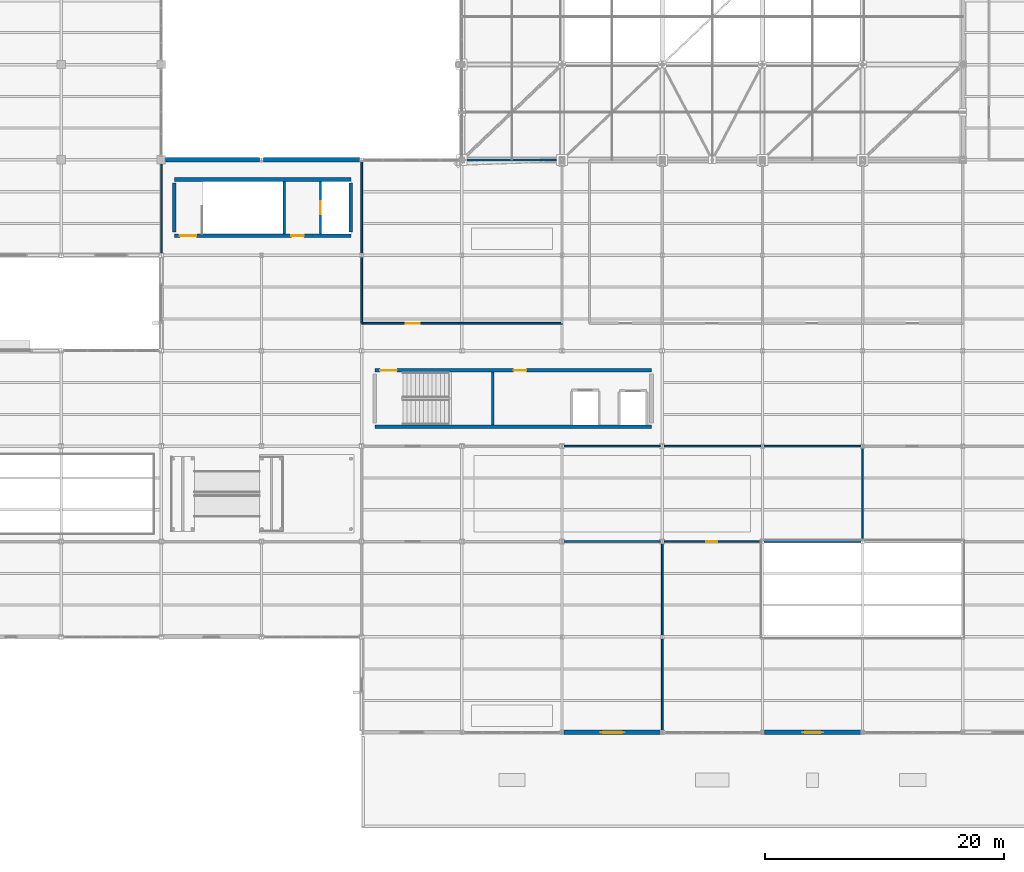
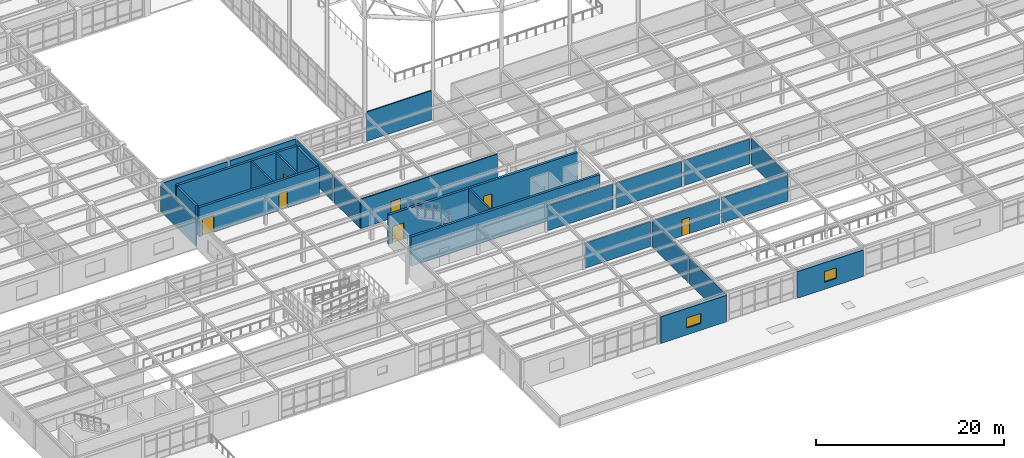
# One storey, part 70 of 138: 27 walls, 7 doors, 2 windows, 9 openings.
"""IFC4 building model written with IfcOpenShell, lengths in metres."""

from ifc_helpers import new_model, si_unit, direction, frame, frame_2d, origin, place, context, subcontext, project, spatial, rectangle, extrude, material, layer, layer_set, type_object, element, fill, save


model = new_model("IFC4")

# Units and contexts
model_context = context("Model", 3, precision=1e-05, world=origin(), true_north=direction((0.0, 1.0)))
body_context = subcontext(model_context, "Body", "Model", "MODEL_VIEW")
ifc_project = project(units=[si_unit("LENGTHUNIT", "METRE"), si_unit("AREAUNIT", "SQUARE_METRE"), si_unit("VOLUMEUNIT", "CUBIC_METRE"), si_unit("PLANEANGLEUNIT", "RADIAN"), si_unit("MASSUNIT", "GRAM", prefix="KILO")], contexts=[model_context])

# Site, building, storey
site_placement = place(None, origin())
site = spatial("IfcSite", under=ifc_project, at=site_placement, CompositionType="ELEMENT")
building_placement = place(site_placement, origin())
building = spatial("IfcBuilding", under=site, at=building_placement, Name="Kranzveld Transit Interchange", CompositionType="ELEMENT")
storey_placement = place(building_placement, frame((0.0, 0.0, 5.43994140625)))
storey = spatial("IfcBuildingStorey", under=building, at=storey_placement, Name="L01", CompositionType="ELEMENT", Elevation=5.43994140625)

# Wall, opening, door
ifc_material_1 = material(Name="Clay masonry unit wall, 20 MPa", Category="masonry")
ifc_layer_1 = layer(ifc_material_1, 0.139892578125)
ifc_layer_set_1 = layer_set([ifc_layer_1], Name="Clay masonry unit wall, 20 MPa")
wall_type_1 = type_object("IfcWallType", Name="Acoustic Stud Partition 140", PredefinedType="PARTITIONING", material=ifc_layer_set_1)
wall_1_placement = place(storey_placement, frame((50.39990234375, 42.300048828125, 0.0), z_axis=(0.0, 0.0, 1.0), x_axis=(1.0, 0.0, 0.0)))
wall_1 = element("IfcWall", 1, at=wall_1_placement, inside=storey, type_object=wall_type_1, Name="L01 Partition IW-L01-L01V1W-FRT-104-0", PredefinedType="PARTITIONING", context=body_context, shape_type="SweptSolid", body=[
    extrude(rectangle(XDim=16.800048828125, YDim=0.139892578125, at=frame_2d((8.39990234375, 0.0))), origin(), (0.0, 0.0, 1.0), 3.800048828125),
])
opening_1_placement = place(wall_1_placement, frame((3.699951171875, 0.0, 0.0), z_axis=(0.0, 0.0, 1.0), x_axis=(1.0, 0.0, 0.0)))
opening_1 = element("IfcOpeningElement", 2, at=opening_1_placement, cuts=wall_1, Name="Opening D-104", PredefinedType="OPENING", context=body_context, shape_type="SweptSolid", body=[
    extrude(rectangle(XDim=1.179931640625, YDim=2.219970703125, at=frame_2d((0.58984375, 1.10986328125))), frame((0.0, 0.079833984375, 0.0), z_axis=(0.0, -1.0, 0.0), x_axis=(1.0, 0.0, 0.0)), (0.0, 0.0, 1.0), 0.159912109375),
])
ifc_material_2 = material(Name="Bronze-anodised thermally broken aluminium", Category="aluminium")
door_type_1 = type_object("IfcDoorType", Name="Boardroom Acoustic Door 1180x2220", OperationType="NOTDEFINED", PredefinedType="DOOR", material=ifc_material_2)
door_1_placement = place(opening_1_placement, origin())
door_1 = element("IfcDoor", 3, at=door_1_placement, inside=storey, type_object=door_type_1, Name="L01 Interior Door D-104", OperationType="SINGLE_SWING_LEFT", OverallHeight=2.219970703125, OverallWidth=1.179931640625, PredefinedType="DOOR", context=body_context, shape_type="SweptSolid", body=[
    extrude(rectangle(XDim=1.179931640625, YDim=2.219970703125, at=frame_2d((0.58984375, 1.10986328125))), frame((0.0, 0.02490234375, 0.0), z_axis=(0.0, -1.0, 0.0), x_axis=(1.0, 0.0, 0.0)), (0.0, 0.0, 1.0), 0.050048828125),
])
fill(opening_1, door_1)

# Walls
wall_2_placement = place(storey_placement, frame((59.0185546875, 56.0, 0.0), z_axis=(0.0, 0.0, 1.0), x_axis=(1.0, 0.0, 0.0)))
element("IfcWall", 4, at=wall_2_placement, inside=storey, type_object=wall_type_1, Name="L01 Partition IW-L01-L01V1W-BCK-104-1", PredefinedType="PARTITIONING", context=body_context, shape_type="SweptSolid", body=[
    extrude(rectangle(XDim=7.962890625, YDim=0.139892578125, at=frame_2d((3.9814453125, 0.0))), origin(), (0.0, 0.0, 1.0), 3.800048828125),
])
wall_3_placement = place(storey_placement, frame((50.39990234375, 42.300048828125, 0.0), z_axis=(0.0, 0.0, 1.0), x_axis=(0.0, 1.0, 0.0)))
element("IfcWall", 5, at=wall_3_placement, inside=storey, type_object=wall_type_1, Name="L01 Partition IW-L01-L01V1W-W-104-0", PredefinedType="PARTITIONING", context=body_context, shape_type="SweptSolid", body=[
    extrude(rectangle(XDim=5.549560546875, YDim=0.139892578125, at=frame_2d((2.77490234375, 0.0))), origin(), (0.0, 0.0, 1.0), 3.336669921875),
])
wall_4_placement = place(storey_placement, frame((50.39990234375, 48.150390625, 0.0), z_axis=(0.0, 0.0, 1.0), x_axis=(0.0, 1.0, 0.0)))
element("IfcWall", 6, at=wall_4_placement, inside=storey, type_object=wall_type_1, Name="L01 Partition IW-L01-L01V1W-W-104-1", PredefinedType="PARTITIONING", context=body_context, shape_type="SweptSolid", body=[
    extrude(rectangle(XDim=7.69921875, YDim=0.139892578125, at=frame_2d((3.849609375, 0.0))), origin(), (0.0, 0.0, 1.0), 3.336669921875),
])
wall_5_placement = place(storey_placement, frame((67.377197265625, 32.0, 0.0), z_axis=(0.0, 0.0, 1.0), x_axis=(1.0, 0.0, 0.0)))
element("IfcWall", 7, at=wall_5_placement, inside=storey, type_object=wall_type_1, Name="L01 Partition IW-L01-L01V2N-FRT-131-2", PredefinedType="PARTITIONING", context=body_context, shape_type="SweptSolid", body=[
    extrude(rectangle(XDim=8.04541015625, YDim=0.139892578125, at=frame_2d((4.022705078125, 0.0))), origin(), (0.0, 0.0, 1.0), 3.260498046875),
])
wall_6_placement = place(storey_placement, frame((75.77734375, 32.0, 0.0), z_axis=(0.0, 0.0, 1.0), x_axis=(1.0, 0.0, 0.0)))
element("IfcWall", 8, at=wall_6_placement, inside=storey, type_object=wall_type_1, Name="L01 Partition IW-L01-L01V2N-FRT-131-3", PredefinedType="PARTITIONING", context=body_context, shape_type="SweptSolid", body=[
    extrude(rectangle(XDim=8.078125, YDim=0.139892578125, at=frame_2d((4.0390625, 0.0))), origin(), (0.0, 0.0, 1.0), 3.260498046875),
])
wall_7_placement = place(storey_placement, frame((84.14453125, 32.0, 0.0), z_axis=(0.0, 0.0, 1.0), x_axis=(1.0, 0.0, 0.0)))
element("IfcWall", 9, at=wall_7_placement, inside=storey, type_object=wall_type_1, Name="L01 Partition IW-L01-L01V2N-FRT-131-4", PredefinedType="PARTITIONING", context=body_context, shape_type="SweptSolid", body=[
    extrude(rectangle(XDim=8.11083984375, YDim=0.139892578125, at=frame_2d((4.055419921875, 0.0))), origin(), (0.0, 0.0, 1.0), 3.260498046875),
])
wall_8_placement = place(storey_placement, frame((67.377197265625, 24.0, 0.0), z_axis=(0.0, 0.0, 1.0), x_axis=(1.0, 0.0, 0.0)))
element("IfcWall", 10, at=wall_8_placement, inside=storey, type_object=wall_type_1, Name="L01 Partition IW-L01-L01V2N-BCK-131-2", PredefinedType="PARTITIONING", context=body_context, shape_type="SweptSolid", body=[
    extrude(rectangle(XDim=8.04541015625, YDim=0.139892578125, at=frame_2d((4.022705078125, 0.0))), origin(), (0.0, 0.0, 1.0), 3.260498046875),
])
wall_9_placement = place(storey_placement, frame((84.14453125, 24.0, 0.0), z_axis=(0.0, 0.0, 1.0), x_axis=(1.0, 0.0, 0.0)))
element("IfcWall", 11, at=wall_9_placement, inside=storey, type_object=wall_type_1, Name="L01 Partition IW-L01-L01V2N-BCK-131-4", PredefinedType="PARTITIONING", context=body_context, shape_type="SweptSolid", body=[
    extrude(rectangle(XDim=8.11083984375, YDim=0.139892578125, at=frame_2d((4.055419921875, 0.0))), origin(), (0.0, 0.0, 1.0), 3.260498046875),
])
for number, where, z_axis, x_axis, name in (
    (12, (92.39990234375, 24.150390625, 0.0), (0.0, 0.0, 1.0), (0.0, 1.0, 0.0), "L01 Partition IW-L01-L01V2N-E-131-0"),
    (13, (75.60009765625, 8.150390625, 0.0), (0.0, 0.0, 1.0), (0.0, 1.0, 0.0), "L01 Partition IW-L01-L01V2S-E-109-0"),
):
    element("IfcWall", number, at=place(storey_placement, frame(where, z_axis=z_axis, x_axis=x_axis)), inside=storey, type_object=wall_type_1, Name=name, PredefinedType="PARTITIONING", context=body_context, shape_type="SweptSolid", body=[
        extrude(rectangle(XDim=7.69921875, YDim=0.139892578125, at=frame_2d((3.849609375, 0.0))), origin(), (0.0, 0.0, 1.0), 3.336669921875),
    ])
wall_10_placement = place(storey_placement, frame((75.60009765625, 16.150390625, 0.0), z_axis=(0.0, 0.0, 1.0), x_axis=(0.0, 1.0, 0.0)))
element("IfcWall", 14, at=wall_10_placement, inside=storey, type_object=wall_type_1, Name="L01 Partition IW-L01-L01V2S-E-109-1", PredefinedType="PARTITIONING", context=body_context, shape_type="SweptSolid", body=[
    extrude(rectangle(XDim=7.67236328125, YDim=0.139892578125, at=frame_2d((3.836181640625, 0.0))), origin(), (0.0, 0.0, 1.0), 3.336669921875),
])

# Wall, openings, doors
ifc_material_3 = material(Name="Concrete C40/50", Category="concrete")
ifc_layer_2 = layer(ifc_material_3, 0.300048828125)
ifc_layer_set_2 = layer_set([ifc_layer_2], Name="Concrete C40/50")
wall_type_2 = type_object("IfcWallType", Name="Core Shear Wall RC 300 C40/50", PredefinedType="SHEAR", material=ifc_layer_set_2)
wall_11_placement = place(storey_placement, frame((34.699951171875, 49.639892578125, 0.0), z_axis=(0.0, 0.0, 1.0), x_axis=(1.0, 0.0, 0.0)))
wall_11 = element("IfcWall", 15, at=wall_11_placement, inside=storey, type_object=wall_type_2, Name="L01 Metro West Core C5 Shear Wall S", PredefinedType="SHEAR", context=body_context, shape_type="SweptSolid", body=[
    extrude(rectangle(XDim=14.800048828125, YDim=0.300048828125, at=frame_2d((7.39990234375, 0.0))), origin(), (0.0, 0.0, 1.0), 3.800048828125),
])
opening_2_placement = place(wall_11_placement, frame((1.849853515625, 0.0, 0.0), z_axis=(0.0, 0.0, 1.0), x_axis=(-1.0, 0.0, 0.0)))
opening_2 = element("IfcOpeningElement", 16, at=opening_2_placement, cuts=wall_11, Name="Opening D-ST-C5-L01", PredefinedType="OPENING", context=body_context, shape_type="SweptSolid", body=[
    extrude(rectangle(XDim=1.39990234375, YDim=2.14990234375, at=frame_2d((0.699951171875, 1.074951171875))), frame((0.0, 0.159912109375, 0.0), z_axis=(0.0, -1.0, 0.0), x_axis=(1.0, 0.0, 0.0)), (0.0, 0.0, 1.0), 0.320068359375),
])
opening_3_placement = place(wall_11_placement, frame((10.85009765625, 0.0, 0.0), z_axis=(0.0, 0.0, 1.0), x_axis=(-1.0, 0.0, 0.0)))
opening_3 = element("IfcOpeningElement", 17, at=opening_3_placement, cuts=wall_11, Name="Opening D-LB-C5-L01", PredefinedType="OPENING", context=body_context, shape_type="SweptSolid", body=[
    extrude(rectangle(XDim=1.050048828125, YDim=2.14990234375, at=frame_2d((0.52490234375, 1.074951171875))), frame((0.0, 0.159912109375, 0.0), z_axis=(0.0, -1.0, 0.0), x_axis=(1.0, 0.0, 0.0)), (0.0, 0.0, 1.0), 0.320068359375),
])
ifc_material_4 = material(Name="Steel S355JR", Category="steel")
door_type_2 = type_object("IfcDoorType", Name="Lift Lobby Fire Door 1050x2150 FD120S", OperationType="NOTDEFINED", PredefinedType="DOOR", material=ifc_material_4)
door_2_placement = place(opening_3_placement, origin())
door_2 = element("IfcDoor", 18, at=door_2_placement, inside=storey, type_object=door_type_2, Name="L01 Metro West Core C5 Lift Protected Lobby Door", OperationType="SINGLE_SWING_RIGHT", OverallHeight=2.14990234375, OverallWidth=1.050048828125, PredefinedType="DOOR", context=body_context, shape_type="SweptSolid", body=[
    extrude(rectangle(XDim=1.050048828125, YDim=2.14990234375, at=frame_2d((0.52490234375, 1.074951171875))), frame((0.0, 0.02490234375, 0.0), z_axis=(0.0, -1.0, 0.0), x_axis=(1.0, 0.0, 0.0)), (0.0, 0.0, 1.0), 0.050048828125),
])
fill(opening_3, door_2)
ifc_material_5 = material(Name="Steel S355JR", Category="steel")
door_type_3 = type_object("IfcDoorType", Name="Metro Stair Double Fire Door 1400x2150 FD120S", OperationType="NOTDEFINED", PredefinedType="DOOR", material=ifc_material_5)
door_3_placement = place(opening_2_placement, origin())
door_3 = element("IfcDoor", 19, at=door_3_placement, inside=storey, type_object=door_type_3, Name="L01 ST-M1 Protected Stair Door", OperationType="DOUBLE_DOOR_SINGLE_SWING", OverallHeight=2.14990234375, OverallWidth=1.39990234375, PredefinedType="DOOR", context=body_context, shape_type="SweptSolid", body=[
    extrude(rectangle(XDim=1.39990234375, YDim=2.14990234375, at=frame_2d((0.699951171875, 1.074951171875))), frame((0.0, 0.02490234375, 0.0), z_axis=(0.0, -1.0, 0.0), x_axis=(1.0, 0.0, 0.0)), (0.0, 0.0, 1.0), 0.050048828125),
])
fill(opening_2, door_3)

# Walls
wall_12_placement = place(storey_placement, frame((34.699951171875, 54.360107421875, 0.0), z_axis=(0.0, 0.0, 1.0), x_axis=(1.0, 0.0, 0.0)))
element("IfcWall", 20, at=wall_12_placement, inside=storey, type_object=wall_type_2, Name="L01 Metro West Core C5 Shear Wall N", PredefinedType="SHEAR", context=body_context, shape_type="SweptSolid", body=[
    extrude(rectangle(XDim=14.800048828125, YDim=0.300048828125, at=frame_2d((7.39990234375, 0.0))), origin(), (0.0, 0.0, 1.0), 3.800048828125),
])
for number, where, z_axis, x_axis, name in (
    (21, (34.699951171875, 49.93994140625, 0.0), (0.0, 0.0, 1.0), (0.0, 1.0, 0.0), "L01 Metro West Core C5 Shear Wall W"),
    (22, (49.5, 49.93994140625, 0.0), (0.0, 0.0, 1.0), (0.0, 1.0, 0.0), "L01 Metro West Core C5 Shear Wall E"),
):
    element("IfcWall", number, at=place(storey_placement, frame(where, z_axis=z_axis, x_axis=x_axis)), inside=storey, type_object=wall_type_2, Name=name, PredefinedType="SHEAR", context=body_context, shape_type="SweptSolid", body=[
        extrude(rectangle(XDim=4.1201171875, YDim=0.300048828125, at=frame_2d((2.06005859375, 0.0))), origin(), (0.0, 0.0, 1.0), 3.800048828125),
    ])
wall_13_placement = place(storey_placement, frame((51.5, 33.639892578125, 0.0), z_axis=(0.0, 0.0, 1.0), x_axis=(1.0, 0.0, 0.0)))
element("IfcWall", 23, at=wall_13_placement, inside=storey, type_object=wall_type_2, Name="L01 Metro East & Bus Mezzanine Core C6 Shear Wall S", PredefinedType="SHEAR", context=body_context, shape_type="SweptSolid", body=[
    extrude(rectangle(XDim=23.199951171875, YDim=0.300048828125, at=frame_2d((11.60009765625, 0.0))), origin(), (0.0, 0.0, 1.0), 3.800048828125),
])

# Wall, openings, doors
wall_14_placement = place(storey_placement, frame((51.5, 38.360107421875, 0.0), z_axis=(0.0, 0.0, 1.0), x_axis=(1.0, 0.0, 0.0)))
wall_14 = element("IfcWall", 24, at=wall_14_placement, inside=storey, type_object=wall_type_2, Name="L01 Metro East & Bus Mezzanine Core C6 Shear Wall N", PredefinedType="SHEAR", context=body_context, shape_type="SweptSolid", body=[
    extrude(rectangle(XDim=23.199951171875, YDim=0.300048828125, at=frame_2d((11.60009765625, 0.0))), origin(), (0.0, 0.0, 1.0), 3.800048828125),
])
opening_4_placement = place(wall_14_placement, frame((0.449951171875, 0.0, 0.0), z_axis=(0.0, 0.0, 1.0), x_axis=(1.0, 0.0, 0.0)))
opening_4 = element("IfcOpeningElement", 25, at=opening_4_placement, cuts=wall_14, Name="Opening D-ST-C6-L01", PredefinedType="OPENING", context=body_context, shape_type="SweptSolid", body=[
    extrude(rectangle(XDim=1.39990234375, YDim=2.14990234375, at=frame_2d((0.699951171875, 1.074951171875))), frame((0.0, 0.159912109375, 0.0), z_axis=(0.0, -1.0, 0.0), x_axis=(1.0, 0.0, 0.0)), (0.0, 0.0, 1.0), 0.320068359375),
])
opening_5_placement = place(wall_14_placement, frame((11.64990234375, 0.0, 0.0), z_axis=(0.0, 0.0, 1.0), x_axis=(1.0, 0.0, 0.0)))
opening_5 = element("IfcOpeningElement", 26, at=opening_5_placement, cuts=wall_14, Name="Opening D-LB-C6-L01", PredefinedType="OPENING", context=body_context, shape_type="SweptSolid", body=[
    extrude(rectangle(XDim=1.050048828125, YDim=2.14990234375, at=frame_2d((0.52490234375, 1.074951171875))), frame((0.0, 0.159912109375, 0.0), z_axis=(0.0, -1.0, 0.0), x_axis=(1.0, 0.0, 0.0)), (0.0, 0.0, 1.0), 0.320068359375),
])
door_4_placement = place(opening_5_placement, origin())
door_4 = element("IfcDoor", 27, at=door_4_placement, inside=storey, type_object=door_type_2, Name="L01 Metro East & Bus Mezzanine Core C6 Lift Protected Lobby Door", OperationType="SINGLE_SWING_RIGHT", OverallHeight=2.14990234375, OverallWidth=1.050048828125, PredefinedType="DOOR", context=body_context, shape_type="SweptSolid", body=[
    extrude(rectangle(XDim=1.050048828125, YDim=2.14990234375, at=frame_2d((0.52490234375, 1.074951171875))), frame((0.0, 0.02490234375, 0.0), z_axis=(0.0, -1.0, 0.0), x_axis=(1.0, 0.0, 0.0)), (0.0, 0.0, 1.0), 0.050048828125),
])
fill(opening_5, door_4)
door_5_placement = place(opening_4_placement, origin())
door_5 = element("IfcDoor", 28, at=door_5_placement, inside=storey, type_object=door_type_3, Name="L01 ST-M2 Protected Stair Door", OperationType="DOUBLE_DOOR_SINGLE_SWING", OverallHeight=2.14990234375, OverallWidth=1.39990234375, PredefinedType="DOOR", context=body_context, shape_type="SweptSolid", body=[
    extrude(rectangle(XDim=1.39990234375, YDim=2.14990234375, at=frame_2d((0.699951171875, 1.074951171875))), frame((0.0, 0.02490234375, 0.0), z_axis=(0.0, -1.0, 0.0), x_axis=(1.0, 0.0, 0.0)), (0.0, 0.0, 1.0), 0.050048828125),
])
fill(opening_4, door_5)

# Walls
ifc_material_6 = material(Name="Pretoria red-purple clinker clay face brick, 35 MPa", Category="masonry")
ifc_layer_3 = layer(ifc_material_6, 0.3798828125)
ifc_layer_set_3 = layer_set([ifc_layer_3], Name="Pretoria red-purple clinker clay face brick, 35 MPa")
wall_type_3 = type_object("IfcWallType", Name="Exterior Cavity Wall Red Clinker 380", PredefinedType="SOLIDWALL", material=ifc_layer_set_3)
wall_15_placement = place(storey_placement, frame((33.949951171875, 56.0, 0.0), z_axis=(0.0, 0.0, 1.0), x_axis=(1.0, 0.0, 0.0)))
element("IfcWall", 29, at=wall_15_placement, inside=storey, type_object=wall_type_3, Name="L01 Clinker Facade Wall 05/H-06/H", PredefinedType="SOLIDWALL", context=body_context, shape_type="SweptSolid", body=[
    extrude(rectangle(XDim=7.8955078125, YDim=0.3798828125, at=frame_2d((3.94775390625, 0.0))), origin(), (0.0, 0.0, 1.0), 3.449951171875),
])
wall_16_placement = place(storey_placement, frame((42.154541015625, 56.0, 0.0), z_axis=(0.0, 0.0, 1.0), x_axis=(1.0, 0.0, 0.0)))
element("IfcWall", 30, at=wall_16_placement, inside=storey, type_object=wall_type_3, Name="L01 Clinker Facade Wall 06/H-07/H", PredefinedType="SOLIDWALL", context=body_context, shape_type="SweptSolid", body=[
    extrude(rectangle(XDim=8.0908203125, YDim=0.3798828125, at=frame_2d((4.04541015625, 0.0))), origin(), (0.0, 0.0, 1.0), 3.449951171875),
])

# Wall, opening, window
wall_17_placement = place(storey_placement, frame((67.3544921875, 8.0, 0.0), z_axis=(0.0, 0.0, 1.0), x_axis=(1.0, 0.0, 0.0)))
wall_17 = element("IfcWall", 31, at=wall_17_placement, inside=storey, type_object=wall_type_3, Name="L01 Clinker Facade Wall 09/B-10/B", PredefinedType="SOLIDWALL", context=body_context, shape_type="SweptSolid", body=[
    extrude(rectangle(XDim=8.0908203125, YDim=0.3798828125, at=frame_2d((4.04541015625, 0.0))), origin(), (0.0, 0.0, 1.0), 3.449951171875),
])
opening_6_placement = place(wall_17_placement, frame((3.1455078125, 0.0, 0.89990234375), z_axis=(0.0, 0.0, 1.0), x_axis=(1.0, 0.0, 0.0)))
opening_6 = element("IfcOpeningElement", 32, at=opening_6_placement, cuts=wall_17, Name="Opening W-12", PredefinedType="OPENING", context=body_context, shape_type="SweptSolid", body=[
    extrude(rectangle(XDim=1.800048828125, YDim=1.300048828125, at=frame_2d((0.89990234375, 0.64990234375))), frame((0.0, 0.199951171875, 0.0), z_axis=(0.0, -1.0, 0.0), x_axis=(1.0, 0.0, 0.0)), (0.0, 0.0, 1.0), 0.39990234375),
])
ifc_material_7 = material(Name="Solar-control double glazing", Category="glass")
window_type_1 = type_object("IfcWindowType", Name="Window Studio Double 1800x1300", PartitioningType="DOUBLE_PANEL_VERTICAL", PredefinedType="WINDOW", material=ifc_material_7)
window_1_placement = place(opening_6_placement, origin())
window_1 = element("IfcWindow", 33, at=window_1_placement, inside=storey, type_object=window_type_1, Name="L01 Facade Window 09/B", OverallHeight=1.300048828125, OverallWidth=1.800048828125, PartitioningType="DOUBLE_PANEL_VERTICAL", PredefinedType="WINDOW", context=body_context, shape_type="SweptSolid", body=[
    extrude(rectangle(XDim=1.800048828125, YDim=1.300048828125, at=frame_2d((0.89990234375, 0.64990234375))), frame((0.0, 0.030029296875, 0.0), z_axis=(0.0, -1.0, 0.0), x_axis=(1.0, 0.0, 0.0)), (0.0, 0.0, 1.0), 0.06005859375),
])
fill(opening_6, window_1)

wall_18_placement = place(storey_placement, frame((84.154541015625, 8.0, 0.0), z_axis=(0.0, 0.0, 1.0), x_axis=(1.0, 0.0, 0.0)))
wall_18 = element("IfcWall", 34, at=wall_18_placement, inside=storey, type_object=wall_type_3, Name="L01 Clinker Facade Wall 11/B-12/B", PredefinedType="SOLIDWALL", context=body_context, shape_type="SweptSolid", body=[
    extrude(rectangle(XDim=8.0908203125, YDim=0.3798828125, at=frame_2d((4.04541015625, 0.0))), origin(), (0.0, 0.0, 1.0), 3.449951171875),
])
opening_7_placement = place(wall_18_placement, frame((3.29541015625, 0.0, 0.89990234375), z_axis=(0.0, 0.0, 1.0), x_axis=(1.0, 0.0, 0.0)))
opening_7 = element("IfcOpeningElement", 35, at=opening_7_placement, cuts=wall_18, Name="Opening W-13", PredefinedType="OPENING", context=body_context, shape_type="SweptSolid", body=[
    extrude(rectangle(XDim=1.5, YDim=1.39990234375, at=frame_2d((0.75, 0.699951171875))), frame((0.0, 0.199951171875, 0.0), z_axis=(0.0, -1.0, 0.0), x_axis=(1.0, 0.0, 0.0)), (0.0, 0.0, 1.0), 0.39990234375),
])
ifc_material_8 = material(Name="Solar-control double glazing", Category="glass")
window_type_2 = type_object("IfcWindowType", Name="Window Studio Single 1500x1400", PartitioningType="SINGLE_PANEL", PredefinedType="WINDOW", material=ifc_material_8)
window_2_placement = place(opening_7_placement, origin())
window_2 = element("IfcWindow", 36, at=window_2_placement, inside=storey, type_object=window_type_2, Name="L01 Facade Window 11/B", OverallHeight=1.39990234375, OverallWidth=1.5, PartitioningType="SINGLE_PANEL", PredefinedType="WINDOW", context=body_context, shape_type="SweptSolid", body=[
    extrude(rectangle(XDim=1.5, YDim=1.39990234375, at=frame_2d((0.75, 0.699951171875))), frame((0.0, 0.030029296875, 0.0), z_axis=(0.0, -1.0, 0.0), x_axis=(1.0, 0.0, 0.0)), (0.0, 0.0, 1.0), 0.06005859375),
])
fill(opening_7, window_2)

# Wall
ifc_material_9 = material(Name="Clay masonry unit wall, 20 MPa", Category="masonry")
ifc_layer_4 = layer(ifc_material_9, 0.125)
ifc_layer_set_4 = layer_set([ifc_layer_4], Name="Clay masonry unit wall, 20 MPa")
wall_type_4 = type_object("IfcWallType", Name="Internal Blockwork Partition 125", PredefinedType="PARTITIONING", material=ifc_layer_set_4)
wall_19_placement = place(storey_placement, frame((33.60009765625, 48.17724609375, 0.0), z_axis=(0.0, 0.0, 1.0), x_axis=(0.0, 1.0, 0.0)))
element("IfcWall", 37, at=wall_19_placement, inside=storey, type_object=wall_type_4, Name="L01 Partition IW-L01-L01V5E-BCK-135-0", PredefinedType="PARTITIONING", context=body_context, shape_type="SweptSolid", body=[
    extrude(rectangle(XDim=7.482666015625, YDim=0.125, at=frame_2d((3.7412109375, 0.0))), origin(), (0.0, 0.0, 1.0), 3.336669921875),
])

# Wall, opening, door
ifc_material_10 = material(Name="Clay masonry unit wall, 20 MPa", Category="masonry")
ifc_layer_5 = layer(ifc_material_10, 0.114990234375)
ifc_layer_set_5 = layer_set([ifc_layer_5], Name="Clay masonry unit wall, 20 MPa")
wall_type_5 = type_object("IfcWallType", Name="Internal Masonry Partition 115", PredefinedType="PARTITIONING", material=ifc_layer_set_5)
wall_20_placement = place(storey_placement, frame((75.77734375, 24.0, 0.0), z_axis=(0.0, 0.0, 1.0), x_axis=(1.0, 0.0, 0.0)))
wall_20 = element("IfcWall", 38, at=wall_20_placement, inside=storey, type_object=wall_type_5, Name="L01 Partition IW-L01-L01V2S-FRT-110-0", PredefinedType="PARTITIONING", context=body_context, shape_type="SweptSolid", body=[
    extrude(rectangle(XDim=8.078125, YDim=0.114990234375, at=frame_2d((4.0390625, 0.0))), origin(), (0.0, 0.0, 1.0), 3.260498046875),
])
opening_8_placement = place(wall_20_placement, frame((4.442626953125, 0.0, 0.0), z_axis=(0.0, 0.0, 1.0), x_axis=(-1.0, 0.0, 0.0)))
opening_8 = element("IfcOpeningElement", 39, at=opening_8_placement, cuts=wall_20, Name="Opening D-110", PredefinedType="OPENING", context=body_context, shape_type="SweptSolid", body=[
    extrude(rectangle(XDim=0.919921875, YDim=2.1201171875, at=frame_2d((0.4599609375, 1.06005859375))), frame((0.0, 0.0673828125, 0.0), z_axis=(0.0, -1.0, 0.0), x_axis=(1.0, 0.0, 0.0)), (0.0, 0.0, 1.0), 0.135009765625),
])
ifc_material_11 = material(Name="Bronze-anodised thermally broken aluminium", Category="aluminium")
door_type_4 = type_object("IfcDoorType", Name="Consulting Room Door 920x2120", OperationType="NOTDEFINED", PredefinedType="DOOR", material=ifc_material_11)
door_6_placement = place(opening_8_placement, origin())
door_6 = element("IfcDoor", 40, at=door_6_placement, inside=storey, type_object=door_type_4, Name="L01 Interior Door D-110", OperationType="SINGLE_SWING_RIGHT", OverallHeight=2.1201171875, OverallWidth=0.919921875, PredefinedType="DOOR", context=body_context, shape_type="SweptSolid", body=[
    extrude(rectangle(XDim=0.919921875, YDim=2.1201171875, at=frame_2d((0.4599609375, 1.06005859375))), frame((0.0, 0.02490234375, 0.0), z_axis=(0.0, -1.0, 0.0), x_axis=(1.0, 0.0, 0.0)), (0.0, 0.0, 1.0), 0.050048828125),
])
fill(opening_8, door_6)

# Wall
ifc_material_12 = material(Name="Concrete C40/50", Category="concrete")
ifc_layer_6 = layer(ifc_material_12, 0.199951171875)
ifc_layer_set_6 = layer_set([ifc_layer_6], Name="Concrete C40/50")
wall_type_6 = type_object("IfcWallType", Name="Lift Shaft Enclosure Wall RC 200 EI120", PredefinedType="SHEAR", material=ifc_layer_set_6)
wall_21_placement = place(storey_placement, frame((43.89990234375, 49.7900390625, 0.0), z_axis=(0.0, 0.0, 1.0), x_axis=(0.0, 1.0, 0.0)))
element("IfcWall", 41, at=wall_21_placement, inside=storey, type_object=wall_type_6, Name="L01 Metro West Core C5 Stair-Lobby Dividing Wall", PredefinedType="SHEAR", context=body_context, shape_type="SweptSolid", body=[
    extrude(rectangle(XDim=4.419921875, YDim=0.199951171875, at=frame_2d((2.2099609375, 0.0))), origin(), (0.0, 0.0, 1.0), 3.800048828125),
])

# Wall, opening, door
wall_22_placement = place(storey_placement, frame((46.949951171875, 49.7900390625, 0.0), z_axis=(0.0, 0.0, 1.0), x_axis=(0.0, 1.0, 0.0)))
wall_22 = element("IfcWall", 42, at=wall_22_placement, inside=storey, type_object=wall_type_6, Name="L01 LF-M1 Shaft Front Wall", PredefinedType="SHEAR", context=body_context, shape_type="SweptSolid", body=[
    extrude(rectangle(XDim=4.419921875, YDim=0.199951171875, at=frame_2d((2.2099609375, 0.0))), origin(), (0.0, 0.0, 1.0), 3.800048828125),
])
opening_9_placement = place(wall_22_placement, frame((1.659912109375, 0.0, 0.0), z_axis=(0.0, 0.0, 1.0), x_axis=(1.0, 0.0, 0.0)))
opening_9 = element("IfcOpeningElement", 43, at=opening_9_placement, cuts=wall_22, Name="Opening LD-LF-M1-L01", PredefinedType="OPENING", context=body_context, shape_type="SweptSolid", body=[
    extrude(rectangle(XDim=1.10009765625, YDim=2.14990234375, at=frame_2d((0.550048828125, 1.074951171875))), frame((0.0, 0.10986328125, 0.0), z_axis=(0.0, -1.0, 0.0), x_axis=(1.0, 0.0, 0.0)), (0.0, 0.0, 1.0), 0.219970703125),
])
ifc_material_13 = material(Name="Steel S355JR", Category="steel")
door_type_5 = type_object("IfcDoorType", Name="Lift Landing Sliding Door 1100x2150 FD120S", OperationType="NOTDEFINED", PredefinedType="DOOR", material=ifc_material_13)
door_7_placement = place(opening_9_placement, origin())
door_7 = element("IfcDoor", 44, at=door_7_placement, inside=storey, type_object=door_type_5, Name="L01 LF-M1 Sliding Landing Door", OperationType="DOUBLE_DOOR_SLIDING", OverallHeight=2.14990234375, OverallWidth=1.10009765625, PredefinedType="DOOR", context=body_context, shape_type="SweptSolid", body=[
    extrude(rectangle(XDim=1.10009765625, YDim=2.14990234375, at=frame_2d((0.550048828125, 1.074951171875))), frame((0.0, 0.02490234375, 0.0), z_axis=(0.0, -1.0, 0.0), x_axis=(1.0, 0.0, 0.0)), (0.0, 0.0, 1.0), 0.050048828125),
])
fill(opening_9, door_7)

# Wall
wall_23_placement = place(storey_placement, frame((61.39990234375, 33.7900390625, 0.0), z_axis=(0.0, 0.0, 1.0), x_axis=(0.0, 1.0, 0.0)))
element("IfcWall", 45, at=wall_23_placement, inside=storey, type_object=wall_type_6, Name="L01 Metro East & Bus Mezzanine Core C6 Stair-Lobby Dividing Wall", PredefinedType="SHEAR", context=body_context, shape_type="SweptSolid", body=[
    extrude(rectangle(XDim=4.419921875, YDim=0.199951171875, at=frame_2d((2.2099609375, 0.0))), origin(), (0.0, 0.0, 1.0), 3.800048828125),
])

save(model, "model.ifc")
